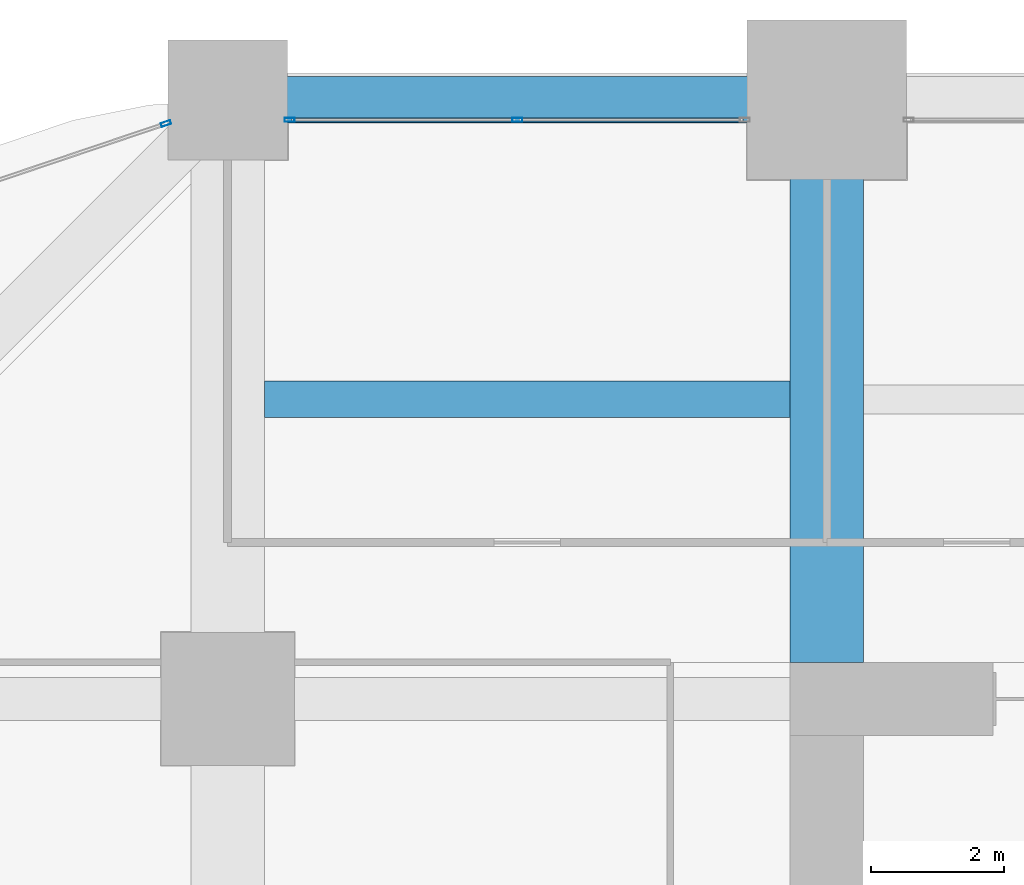
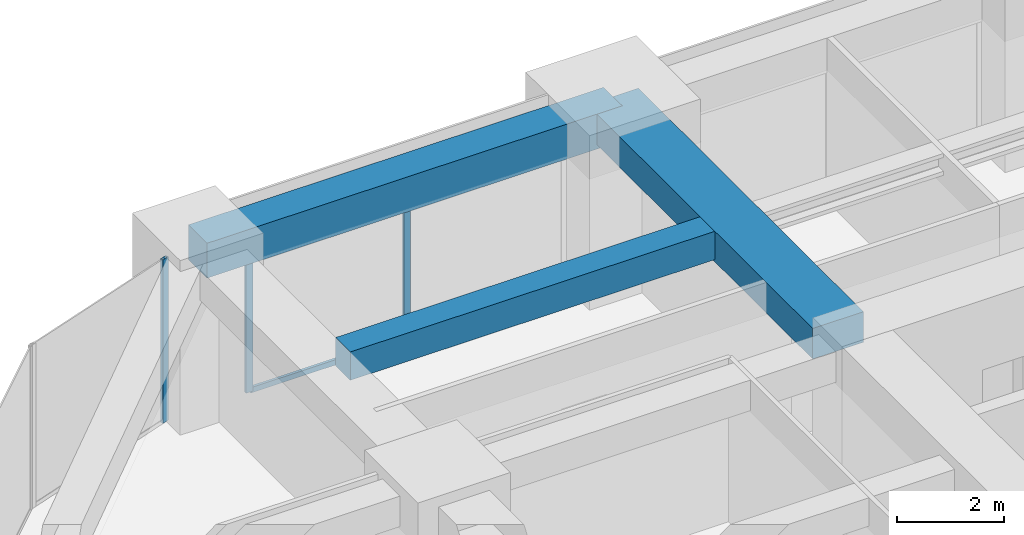
# One storey, part 27 of 41: 4 members, 3 beams, 2 elements without a shape of their own.
"""IFC4 building model written with IfcOpenShell, lengths in metres."""

from ifc_helpers import new_model, si_unit, direction, frame, origin, origin_2d, place, context, subcontext, project, spatial, rectangle, hollow_rectangle, extrude, material, material_profile, profile_set, type_object, element, aggregate, save


model = new_model("IFC4")

# Units and contexts
model_context = context("Model", 3, precision=1e-05, world=origin(), true_north=direction((0.0, 1.0)))
body_context = subcontext(model_context, "Body", "Model", "MODEL_VIEW")
ifc_project = project(units=[si_unit("LENGTHUNIT", "METRE"), si_unit("AREAUNIT", "SQUARE_METRE"), si_unit("VOLUMEUNIT", "CUBIC_METRE"), si_unit("PLANEANGLEUNIT", "RADIAN"), si_unit("MASSUNIT", "GRAM", prefix="KILO")], contexts=[model_context])

# Site, building, storey
site_placement = place(None, origin())
site = spatial("IfcSite", under=ifc_project, at=site_placement, CompositionType="ELEMENT")
building_placement = place(site_placement, origin())
building = spatial("IfcBuilding", under=site, at=building_placement, Name="Zorevar Civic Tower", CompositionType="ELEMENT")
storey_placement = place(building_placement, frame((0.0, 0.0, 105.0)))
storey = spatial("IfcBuildingStorey", under=building, at=storey_placement, Name="L25", CompositionType="ELEMENT", Elevation=105.0)

# Beams
ifc_material_1 = material(Name="Concrete C50/60", Category="concrete")
ifc_material_profile_1 = material_profile(ifc_material_1, rectangle(XDim=1.10009765625, YDim=0.699951171875, at=origin_2d()), Name="RC 1100x700")
ifc_profile_set_1 = profile_set([ifc_material_profile_1], Name="Concrete C50/60")
beam_type_1 = type_object("IfcBeamType", Name="Beam RC 1100x700", PredefinedType="BEAM", material=ifc_profile_set_1)
beam_1_placement = place(storey_placement, frame((18.0, 36.550048828125, 3.39990234375), z_axis=(0.0, 1.0, 0.0), x_axis=(-1.0, 0.0, 0.0)))
element("IfcBeam", 1, at=beam_1_placement, inside=storey, type_object=beam_type_1, Name="Girder L26", PredefinedType="BEAM", context=body_context, shape_type="SweptSolid", body=[
    extrude(rectangle(XDim=1.10009765625, YDim=0.699951171875, at=origin_2d()), origin(), (0.0, 0.0, 1.0), 8.449951171875),
])
ifc_material_2 = material(Name="Concrete C50/60", Category="concrete")
ifc_material_profile_2 = material_profile(ifc_material_2, rectangle(XDim=0.550048828125, YDim=0.64990234375, at=origin_2d()), Name="RC 550x650")
ifc_profile_set_2 = profile_set([ifc_material_profile_2], Name="Concrete C50/60")
beam_type_2 = type_object("IfcBeamType", Name="Beam RC 550x650", PredefinedType="BEAM", material=ifc_profile_set_2)
beam_2_placement = place(storey_placement, frame((9.550048828125, 40.5, 3.425048828125), z_axis=(1.0, 0.0, 0.0), x_axis=(0.0, 1.0, 0.0)))
element("IfcBeam", 2, at=beam_2_placement, inside=storey, type_object=beam_type_2, Name="Secondary beam L26", PredefinedType="BEAM", context=body_context, shape_type="SweptSolid", body=[
    extrude(rectangle(XDim=0.550048828125, YDim=0.64990234375, at=origin_2d()), origin(), (0.0, 0.0, 1.0), 7.89990234375),
])

# Curtain wall, members
ifc_material_3 = material(Name="Dark grey solar-control glass in black aluminium frame", Category="aluminium")
curtain_wall_type = type_object("IfcCurtainWallType", Name="Curtain wall CW3 mid zone", PredefinedType="NOTDEFINED", material=ifc_material_3)
curtain_wall_1_placement = place(storey_placement, origin())
curtain_wall_1 = element("IfcCurtainWall", 3, at=curtain_wall_1_placement, inside=storey, type_object=curtain_wall_type, Name="CW3 L25", PredefinedType="NOTDEFINED")
ifc_material_4 = material(Name="Aluminium, black anodised", Category="aluminium")
ifc_material_profile_3 = material_profile(ifc_material_4, hollow_rectangle(XDim=0.06005859375, YDim=0.14990234375, WallThickness=0.00390625, at=origin_2d()), Name="AL 150x60x4")
ifc_profile_set_3 = profile_set([ifc_material_profile_3], Name="Aluminium, black anodised")
member_type_1 = type_object("IfcMemberType", Name="CW3 mullion AL 150x60x4", PredefinedType="MULLION", material=ifc_profile_set_3)
member_1_placement = place(storey_placement, frame((9.929931640625, 44.699951171875, 0.0), z_axis=(0.0, 0.0, 1.0), x_axis=(0.0, 1.0, 0.0)))
member_1 = element("IfcMember", 4, at=member_1_placement, type_object=member_type_1, Name="CW3 mullion 1", PredefinedType="MULLION", context=body_context, shape_type="SweptSolid", body=[
    extrude(hollow_rectangle(XDim=0.06005859375, YDim=0.14990234375, WallThickness=0.00390625, at=origin_2d()), origin(), (0.0, 0.0, 1.0), 2.949951171875),
])
member_2_placement = place(storey_placement, frame((13.35009765625, 44.699951171875, 0.06005859375), z_axis=(0.0, 0.0, 1.0), x_axis=(0.0, 1.0, 0.0)))
member_2 = element("IfcMember", 5, at=member_2_placement, type_object=member_type_1, Name="CW3 mullion 2", PredefinedType="MULLION", context=body_context, shape_type="SweptSolid", body=[
    extrude(hollow_rectangle(XDim=0.06005859375, YDim=0.14990234375, WallThickness=0.00390625, at=origin_2d()), origin(), (0.0, 0.0, 1.0), 2.889892578125),
])

# Curtain wall, member
curtain_wall_2_placement = place(storey_placement, origin())
curtain_wall_2 = element("IfcCurtainWall", 6, at=curtain_wall_2_placement, inside=storey, type_object=curtain_wall_type, Name="CW3 L25", PredefinedType="NOTDEFINED")
member_3_placement = place(storey_placement, frame((8.071533203125, 44.643798828125, 0.0), z_axis=(0.0, 0.0, 1.0), x_axis=(0.319412525043, -0.947615765406, 0.0)))
member_3 = element("IfcMember", 7, at=member_3_placement, type_object=member_type_1, Name="CW3 mullion 1", PredefinedType="MULLION", context=body_context, shape_type="SweptSolid", body=[
    extrude(hollow_rectangle(XDim=0.06005859375, YDim=0.14990234375, WallThickness=0.00390625, at=origin_2d()), origin(), (0.0, 0.0, 1.0), 3.75),
])
aggregate(curtain_wall_2, [member_3])

# Member
ifc_material_5 = material(Name="Aluminium, black anodised", Category="aluminium")
ifc_material_profile_4 = material_profile(ifc_material_5, hollow_rectangle(XDim=0.06005859375, YDim=0.1201171875, WallThickness=0.0029296875, at=origin_2d()), Name="AL 120x60x3")
ifc_profile_set_4 = profile_set([ifc_material_profile_4], Name="Aluminium, black anodised")
member_type_2 = type_object("IfcMemberType", Name="CW3 transom AL 120x60x3", PredefinedType="USERDEFINED", material=ifc_profile_set_4)
member_4_placement = place(storey_placement, frame((9.9599609375, 44.699951171875, 0.030029296875), z_axis=(1.0, 0.0, 0.0), x_axis=(0.0, 1.0, 0.0)))
member_4 = element("IfcMember", 8, at=member_4_placement, type_object=member_type_2, Name="CW3 sill transom", ObjectType="TRANSOM", PredefinedType="USERDEFINED", context=body_context, shape_type="SweptSolid", body=[
    extrude(hollow_rectangle(XDim=0.06005859375, YDim=0.1201171875, WallThickness=0.0029296875, at=origin_2d()), origin(), (0.0, 0.0, 1.0), 6.780029296875),
])

aggregate(curtain_wall_1, [member_1, member_2, member_4])

# Beam
ifc_material_6 = material(Name="Concrete C50/60", Category="concrete")
ifc_material_profile_5 = material_profile(ifc_material_6, rectangle(XDim=0.699951171875, YDim=0.800048828125, at=origin_2d()), Name="RC 700x800")
ifc_profile_set_5 = profile_set([ifc_material_profile_5], Name="Concrete C50/60")
beam_type_3 = type_object("IfcBeamType", Name="Edge beam RC 700x800", PredefinedType="SPANDREL", material=ifc_profile_set_5)
beam_3_placement = place(storey_placement, frame((9.0, 45.0, 3.35009765625), z_axis=(1.0, 0.0, 0.0), x_axis=(0.0, 1.0, 0.0)))
element("IfcBeam", 9, at=beam_3_placement, inside=storey, type_object=beam_type_3, Name="Edge beam L26", PredefinedType="SPANDREL", context=body_context, shape_type="SweptSolid", body=[
    extrude(rectangle(XDim=0.699951171875, YDim=0.800048828125, at=origin_2d()), origin(), (0.0, 0.0, 1.0), 9.0),
])

save(model, "model.ifc")
